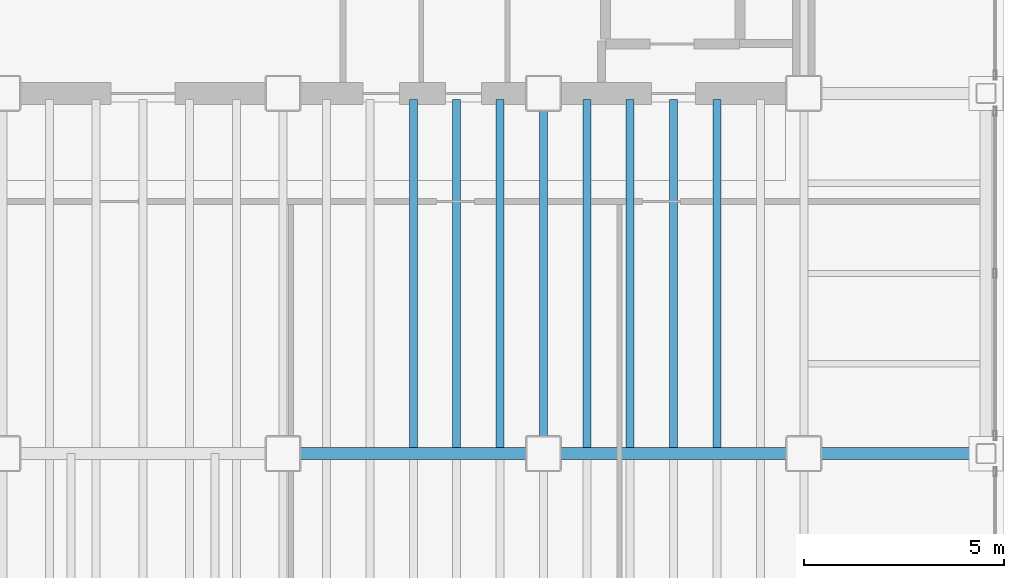
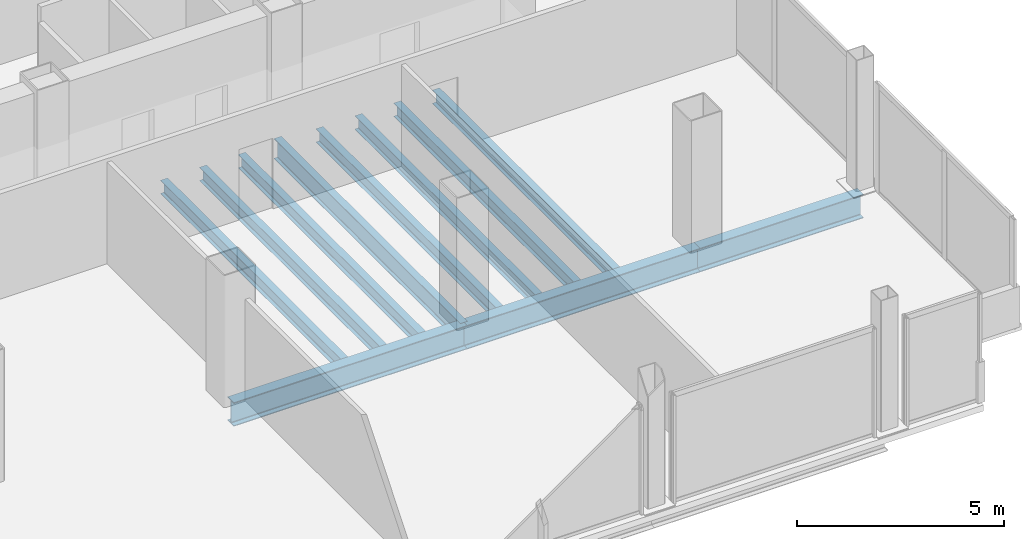
# One storey, part 14 of 20: 11 beams.
"""IFC4 building model written with IfcOpenShell, lengths in metres."""

from ifc_helpers import new_model, si_unit, direction, frame, origin, origin_2d, place, context, subcontext, project, spatial, i_section, extrude, material, material_profile, profile_set, type_object, element, save


model = new_model("IFC4")

# Units and contexts
model_context = context("Model", 3, precision=1e-05, world=origin(), true_north=direction((0.0, 1.0)))
body_context = subcontext(model_context, "Body", "Model", "MODEL_VIEW")
ifc_project = project(units=[si_unit("LENGTHUNIT", "METRE"), si_unit("AREAUNIT", "SQUARE_METRE"), si_unit("VOLUMEUNIT", "CUBIC_METRE"), si_unit("PLANEANGLEUNIT", "RADIAN"), si_unit("MASSUNIT", "GRAM", prefix="KILO")], contexts=[model_context])

# Site, building, storey
site_placement = place(None, origin())
site = spatial("IfcSite", under=ifc_project, at=site_placement, CompositionType="ELEMENT")
building_placement = place(site_placement, origin())
building = spatial("IfcBuilding", under=site, at=building_placement, Name="Noeulbin Bourse Tower", CompositionType="ELEMENT")
storey_placement = place(building_placement, frame((0.0, 0.0, 118.800048828125)))
storey = spatial("IfcBuildingStorey", under=building, at=storey_placement, Name="L29", CompositionType="ELEMENT", Elevation=118.800048828125)

# Beams
ifc_material = material(Name="Steel S355", Category="steel")
ifc_material_profile_1 = material_profile(ifc_material, i_section(OverallWidth=0.199951171875, OverallDepth=0.60009765625, WebThickness=0.010986328125, FlangeThickness=0.01708984375, FilletRadius=0.02197265625, at=origin_2d()), Name="H-600x200x11x17", Category="LoadBearing")
ifc_profile_set_1 = profile_set([ifc_material_profile_1], Name="Steel S355")
beam_type_1 = type_object("IfcBeamType", Name="BM-GRD-600", PredefinedType="USERDEFINED", material=ifc_profile_set_1)
beam_1_placement = place(storey_placement, frame((37.5, 20.0, -0.47998046875), z_axis=(0.0, 1.0, 0.0), x_axis=(-1.0, 0.0, 0.0)))
element("IfcBeam", 1, at=beam_1_placement, inside=storey, type_object=beam_type_1, Name="Tower Primary Girder NS L29-4.2", ObjectType="GIRDER", PredefinedType="USERDEFINED", context=body_context, shape_type="SweptSolid", body=[
    extrude(i_section(OverallWidth=0.199951171875, OverallDepth=0.60009765625, WebThickness=0.010986328125, FlangeThickness=0.01708984375, FilletRadius=0.02197265625, at=origin_2d()), origin(), (0.0, 0.0, 1.0), 9.0),
])
ifc_material_profile_2 = material_profile(ifc_material, i_section(OverallWidth=0.300048828125, OverallDepth=0.699951171875, WebThickness=0.012939453125, FlangeThickness=0.02392578125, FilletRadius=0.02392578125, at=origin_2d()), Name="H-700x300x13x24", Category="LoadBearing")
ifc_profile_set_2 = profile_set([ifc_material_profile_2], Name="Steel S355")
beam_type_2 = type_object("IfcBeamType", Name="BM-GRD-700", PredefinedType="USERDEFINED", material=ifc_profile_set_2)
for number, where, z_axis, x_axis, name in (
    (2, (31.0, 20.0, -0.530029296875), (1.0, 0.0, 0.0), (0.0, 1.0, 0.0), "Tower Primary Girder EW L29-1.4"),
    (3, (37.5, 20.0, -0.530029296875), (1.0, 0.0, 0.0), (0.0, 1.0, 0.0), "Tower Primary Girder EW L29-1.5"),
):
    element("IfcBeam", number, at=place(storey_placement, frame(where, z_axis=z_axis, x_axis=x_axis)), inside=storey, type_object=beam_type_2, Name=name, ObjectType="GIRDER", PredefinedType="USERDEFINED", context=body_context, shape_type="SweptSolid", body=[
        extrude(i_section(OverallWidth=0.300048828125, OverallDepth=0.699951171875, WebThickness=0.012939453125, FlangeThickness=0.02392578125, FilletRadius=0.02392578125, at=origin_2d()), origin(), (0.0, 0.0, 1.0), 6.5),
    ])
beam_2_placement = place(storey_placement, frame((44.0, 20.0, -0.530029296875), z_axis=(1.0, 0.0, 0.0), x_axis=(0.0, 1.0, 0.0)))
element("IfcBeam", 4, at=beam_2_placement, inside=storey, type_object=beam_type_2, Name="Tower Primary Girder EW L29-1.6", ObjectType="GIRDER", PredefinedType="USERDEFINED", context=body_context, shape_type="SweptSolid", body=[
    extrude(i_section(OverallWidth=0.300048828125, OverallDepth=0.699951171875, WebThickness=0.012939453125, FlangeThickness=0.02392578125, FilletRadius=0.02392578125, at=origin_2d()), origin(), (0.0, 0.0, 1.0), 4.550048828125),
])
ifc_material_profile_3 = material_profile(ifc_material, i_section(OverallWidth=0.199951171875, OverallDepth=0.39990234375, WebThickness=0.008056640625, FlangeThickness=0.012939453125, FilletRadius=0.01611328125, at=origin_2d()), Name="H-400x200x8x13", Category="LoadBearing")
ifc_profile_set_3 = profile_set([ifc_material_profile_3], Name="Steel S355")
beam_type_3 = type_object("IfcBeamType", Name="BM-SEC-400", PredefinedType="BEAM", material=ifc_profile_set_3)
for number, where, z_axis, x_axis, name in (
    (5, (34.25, 20.14990234375, -0.380126953125), (0.0, 1.0, 0.0), (-1.0, 0.0, 0.0), "Tower Composite Joist L29-32"),
    (6, (35.333251953125, 20.14990234375, -0.380126953125), (0.0, 1.0, 0.0), (-1.0, 0.0, 0.0), "Tower Composite Joist L29-34"),
    (7, (36.416748046875, 20.14990234375, -0.380126953125), (0.0, 1.0, 0.0), (-1.0, 0.0, 0.0), "Tower Composite Joist L29-36"),
    (8, (38.583251953125, 20.14990234375, -0.380126953125), (0.0, 1.0, 0.0), (-1.0, 0.0, 0.0), "Tower Composite Joist L29-38"),
    (9, (39.666748046875, 20.14990234375, -0.380126953125), (0.0, 1.0, 0.0), (-1.0, 0.0, 0.0), "Tower Composite Joist L29-40"),
    (10, (40.75, 20.14990234375, -0.380126953125), (0.0, 1.0, 0.0), (-1.0, 0.0, 0.0), "Tower Composite Joist L29-42"),
    (11, (41.833251953125, 20.14990234375, -0.380126953125), (0.0, 1.0, 0.0), (-1.0, 0.0, 0.0), "Tower Composite Joist L29-44"),
):
    element("IfcBeam", number, at=place(storey_placement, frame(where, z_axis=z_axis, x_axis=x_axis)), inside=storey, type_object=beam_type_3, Name=name, PredefinedType="BEAM", context=body_context, shape_type="SweptSolid", body=[
        extrude(i_section(OverallWidth=0.199951171875, OverallDepth=0.39990234375, WebThickness=0.008056640625, FlangeThickness=0.012939453125, FilletRadius=0.01611328125, at=origin_2d()), origin(), (0.0, 0.0, 1.0), 8.7001953125),
    ])

save(model, "model.ifc")
